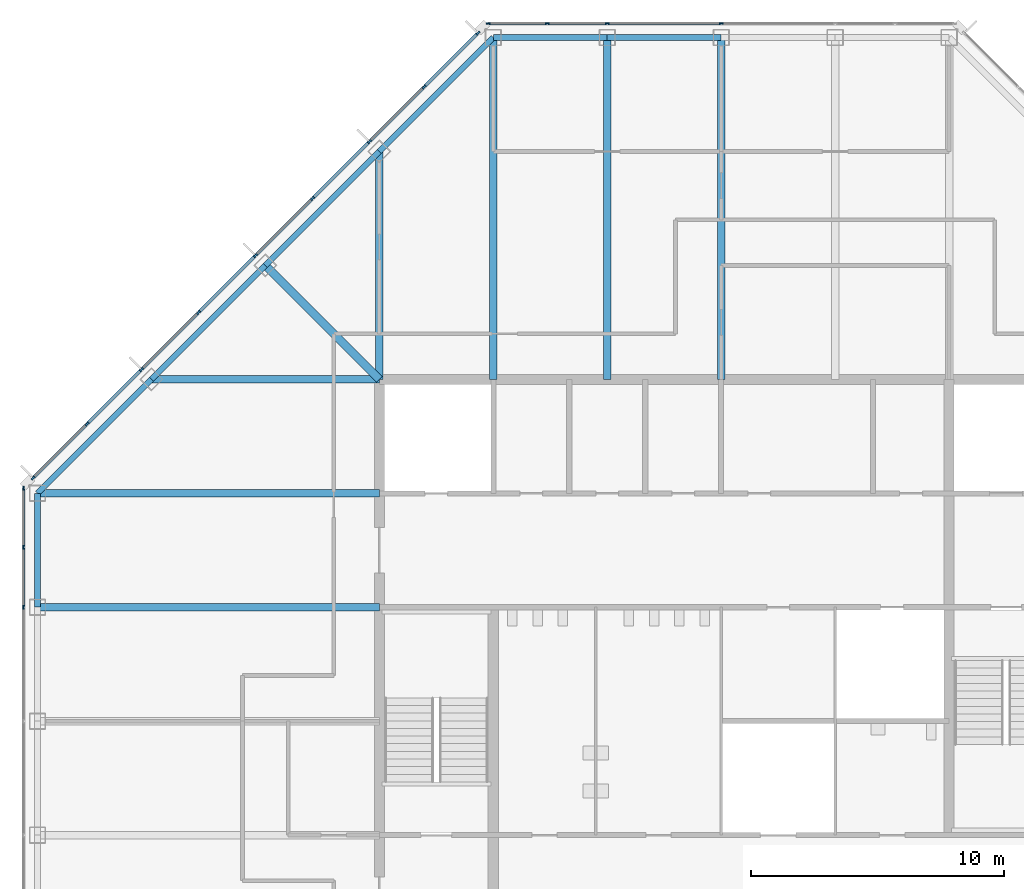
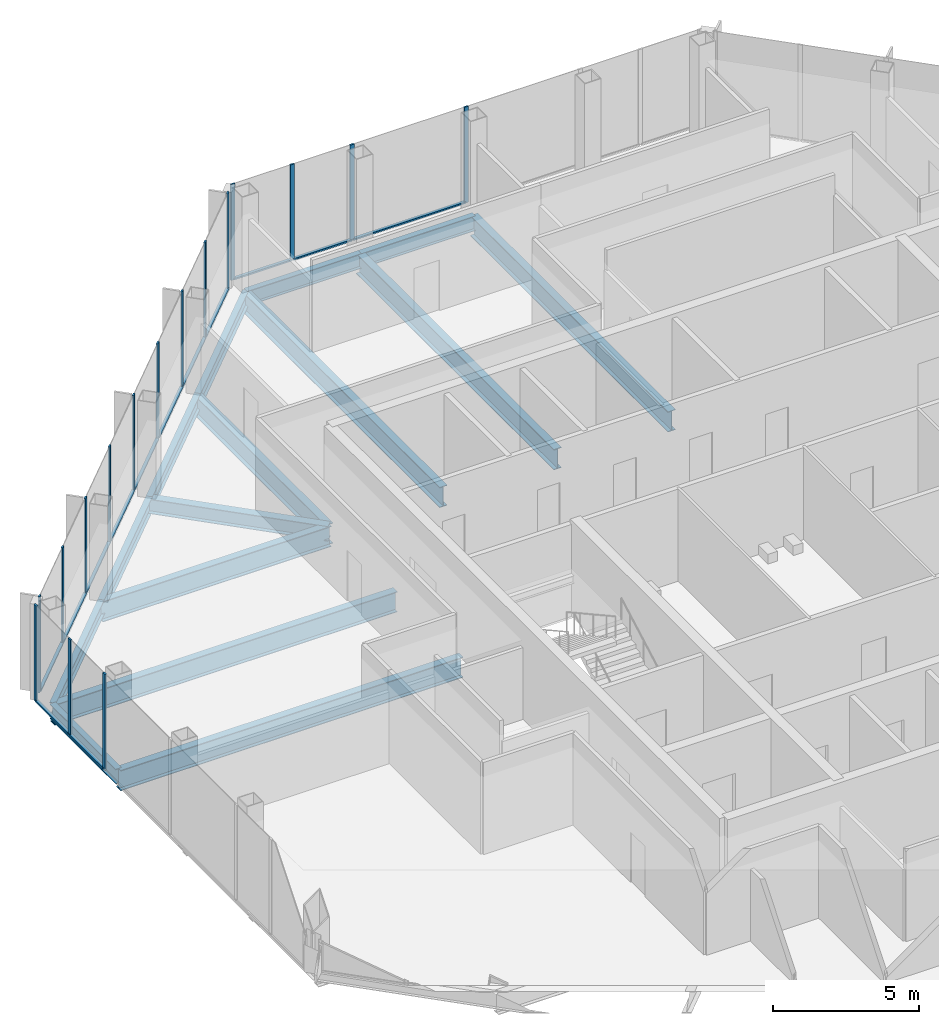
# One storey, part 6 of 13: 29 members, 15 beams, 3 elements without a shape of their own.
"""IFC4 building model written with IfcOpenShell, lengths in metres."""

from ifc_helpers import new_model, si_unit, direction, frame, origin, origin_2d, place, context, subcontext, project, spatial, rectangle, i_section, extrude, material, material_profile, profile_set, type_object, element, aggregate, save


model = new_model("IFC4")

# Units and contexts
model_context = context("Model", 3, precision=1e-05, world=origin(), true_north=direction((0.0, 1.0)))
body_context = subcontext(model_context, "Body", "Model", "MODEL_VIEW")
ifc_project = project(units=[si_unit("LENGTHUNIT", "METRE"), si_unit("AREAUNIT", "SQUARE_METRE"), si_unit("VOLUMEUNIT", "CUBIC_METRE"), si_unit("PLANEANGLEUNIT", "RADIAN"), si_unit("MASSUNIT", "GRAM", prefix="KILO")], contexts=[model_context])

# Site, building, storey
site_placement = place(None, origin())
site = spatial("IfcSite", under=ifc_project, at=site_placement, CompositionType="ELEMENT")
building_placement = place(site_placement, origin())
building = spatial("IfcBuilding", under=site, at=building_placement, Name="Corais Broadcast Tower", CompositionType="ELEMENT")
storey_placement = place(building_placement, frame((0.0, 0.0, 242.60009765625)))
storey = spatial("IfcBuildingStorey", under=building, at=storey_placement, Name="L56", CompositionType="ELEMENT", Elevation=242.60009765625)

# Beams
ifc_material_1 = material(Name="Steel ASTM A572 Grade 50", Category="steel")
ifc_material_profile_1 = material_profile(ifc_material_1, i_section(OverallWidth=0.323974609375, OverallDepth=0.611083984375, WebThickness=0.0126953125, FlangeThickness=0.01904296875, at=origin_2d()), Name="W610x155")
ifc_profile_set_1 = profile_set([ifc_material_profile_1], Name="Steel ASTM A572 Grade 50")
beam_type_1 = type_object("IfcBeamType", Name="Corner diagonal W610x155", PredefinedType="BEAM", material=ifc_profile_set_1)
beam_1_placement = place(storey_placement, frame((9.0, 45.0, -0.465576171875), z_axis=(0.707106781187, -0.707106781187, 0.0), x_axis=(0.707106781187, 0.707106781187, 0.0)))
element("IfcBeam", 1, at=beam_1_placement, inside=storey, type_object=beam_type_1, Name="B6 L/5 to K/6", PredefinedType="BEAM", context=body_context, shape_type="SweptSolid", body=[
    extrude(i_section(OverallWidth=0.323974609375, OverallDepth=0.611083984375, WebThickness=0.0126953125, FlangeThickness=0.01904296875, at=origin_2d()), origin(), (0.0, 0.0, 1.0), 6.364013671875),
])
ifc_material_2 = material(Name="Steel ASTM A572 Grade 50", Category="steel")
ifc_material_profile_2 = material_profile(ifc_material_2, i_section(OverallWidth=0.2939453125, OverallDepth=0.85107421875, WebThickness=0.01611328125, FlangeThickness=0.02685546875, at=origin_2d()), Name="W840x226")
ifc_profile_set_2 = profile_set([ifc_material_profile_2], Name="Steel ASTM A572 Grade 50")
beam_type_2 = type_object("IfcBeamType", Name="Floor beam W840x226", PredefinedType="BEAM", material=ifc_profile_set_2)
for number, where, z_axis, x_axis, name in (
    (2, (0.0, 31.5, -0.585693359375), (1.0, 0.0, 0.0), (0.0, 1.0, 0.0), "B1 H/3 to H/6"),
    (3, (0.0, 36.0, -0.585693359375), (1.0, 0.0, 0.0), (0.0, 1.0, 0.0), "B1 J/3 to J/6"),
):
    element("IfcBeam", number, at=place(storey_placement, frame(where, z_axis=z_axis, x_axis=x_axis)), inside=storey, type_object=beam_type_2, Name=name, PredefinedType="BEAM", context=body_context, shape_type="SweptSolid", body=[
        extrude(i_section(OverallWidth=0.2939453125, OverallDepth=0.85107421875, WebThickness=0.01611328125, FlangeThickness=0.02685546875, at=origin_2d()), origin(), (0.0, 0.0, 1.0), 13.5),
    ])
beam_2_placement = place(storey_placement, frame((13.5, 49.5, -0.585693359375), z_axis=(0.0, -1.0, 0.0), x_axis=(1.0, 0.0, 0.0)))
element("IfcBeam", 4, at=beam_2_placement, inside=storey, type_object=beam_type_2, Name="B1 M/6 to K/6", PredefinedType="BEAM", context=body_context, shape_type="SweptSolid", body=[
    extrude(i_section(OverallWidth=0.2939453125, OverallDepth=0.85107421875, WebThickness=0.01611328125, FlangeThickness=0.02685546875, at=origin_2d()), origin(), (0.0, 0.0, 1.0), 9.0),
])
for number, where, z_axis, x_axis, name in (
    (5, (18.0, 54.0, -0.585693359375), (0.0, -1.0, 0.0), (1.0, 0.0, 0.0), "B1 N/7 to K/7"),
    (6, (22.5, 54.0, -0.585693359375), (0.0, -1.0, 0.0), (1.0, 0.0, 0.0), "B1 N/8 to K/8"),
    (7, (27.0, 54.0, -0.585693359375), (0.0, -1.0, 0.0), (1.0, 0.0, 0.0), "B1 N/9 to K/9"),
):
    element("IfcBeam", number, at=place(storey_placement, frame(where, z_axis=z_axis, x_axis=x_axis)), inside=storey, type_object=beam_type_2, Name=name, PredefinedType="BEAM", context=body_context, shape_type="SweptSolid", body=[
        extrude(i_section(OverallWidth=0.2939453125, OverallDepth=0.85107421875, WebThickness=0.01611328125, FlangeThickness=0.02685546875, at=origin_2d()), origin(), (0.0, 0.0, 1.0), 13.5),
    ])
beam_3_placement = place(storey_placement, frame((4.5, 40.5, -0.585693359375), z_axis=(1.0, 0.0, 0.0), x_axis=(0.0, 1.0, 0.0)))
element("IfcBeam", 8, at=beam_3_placement, inside=storey, type_object=beam_type_2, Name="B1 K/4 to K/6", PredefinedType="BEAM", context=body_context, shape_type="SweptSolid", body=[
    extrude(i_section(OverallWidth=0.2939453125, OverallDepth=0.85107421875, WebThickness=0.01611328125, FlangeThickness=0.02685546875, at=origin_2d()), origin(), (0.0, 0.0, 1.0), 9.0),
])

# Curtain wall, members
ifc_material_3 = material(Name="Aluminium and glass", Category="aluminium")
curtain_wall_type = type_object("IfcCurtainWallType", Name="Unitised fritted curtain wall CW3", PredefinedType="NOTDEFINED", material=ifc_material_3)
curtain_wall_1_placement = place(storey_placement, origin())
curtain_wall_1 = element("IfcCurtainWall", 9, at=curtain_wall_1_placement, inside=storey, type_object=curtain_wall_type, Name="CW3 curtain wall L56 2", PredefinedType="NOTDEFINED")
ifc_material_4 = material(Name="Aluminium 6063-T6", Category="aluminium")
ifc_material_profile_3 = material_profile(ifc_material_4, rectangle(XDim=0.06494140625, YDim=0.159912109375, at=origin_2d()), Name="Mullion CW3 65x160")
ifc_profile_set_3 = profile_set([ifc_material_profile_3], Name="Aluminium 6063-T6")
member_type_1 = type_object("IfcMemberType", Name="Mullion CW3 65x160", PredefinedType="MULLION", material=ifc_profile_set_3)
member_1_placement = place(storey_placement, frame((-0.550048828125, 31.5, 0.0), z_axis=(0.0, 0.0, 1.0), x_axis=(-1.0, 0.0, 0.0)))
member_1 = element("IfcMember", 10, at=member_1_placement, type_object=member_type_1, Name="CW3 mullion 5", PredefinedType="MULLION", context=body_context, shape_type="SweptSolid", body=[
    extrude(rectangle(XDim=0.06494140625, YDim=0.159912109375, at=origin_2d()), origin(), (0.0, 0.0, 1.0), 4.0),
])
member_2_placement = place(storey_placement, frame((-0.550048828125, 33.864013671875, 0.0), z_axis=(0.0, 0.0, 1.0), x_axis=(-1.0, 0.0, 0.0)))
member_2 = element("IfcMember", 11, at=member_2_placement, type_object=member_type_1, Name="CW3 mullion 6", PredefinedType="MULLION", context=body_context, shape_type="SweptSolid", body=[
    extrude(rectangle(XDim=0.06494140625, YDim=0.159912109375, at=origin_2d()), origin(), (0.0, 0.0, 1.0), 4.0),
])
member_3_placement = place(storey_placement, frame((-0.550048828125, 36.1953125, 0.0), z_axis=(0.0, 0.0, 1.0), x_axis=(-1.0, 0.0, 0.0)))
member_3 = element("IfcMember", 12, at=member_3_placement, type_object=member_type_1, Name="CW3 mullion 7", PredefinedType="MULLION", context=body_context, shape_type="SweptSolid", body=[
    extrude(rectangle(XDim=0.06494140625, YDim=0.159912109375, at=origin_2d()), origin(), (0.0, 0.0, 1.0), 4.0),
])

curtain_wall_2_placement = place(storey_placement, origin())
curtain_wall_2 = element("IfcCurtainWall", 13, at=curtain_wall_2_placement, inside=storey, type_object=curtain_wall_type, Name="CW3 curtain wall L56 3", PredefinedType="NOTDEFINED")
member_4_placement = place(storey_placement, frame((-0.17333984375, 36.6044921875, 0.0), z_axis=(0.0, 0.0, 1.0), x_axis=(-0.707106781187, 0.707106781187, 0.0)))
member_4 = element("IfcMember", 14, at=member_4_placement, type_object=member_type_1, Name="CW3 mullion 1", PredefinedType="MULLION", context=body_context, shape_type="SweptSolid", body=[
    extrude(rectangle(XDim=0.06494140625, YDim=0.159912109375, at=origin_2d()), origin(), (0.0, 0.0, 1.0), 4.0),
])
member_5_placement = place(storey_placement, frame((1.957275390625, 38.735107421875, 0.0), z_axis=(0.0, 0.0, 1.0), x_axis=(-0.707106781187, 0.707106781187, 0.0)))
member_5 = element("IfcMember", 15, at=member_5_placement, type_object=member_type_1, Name="CW3 mullion 2", PredefinedType="MULLION", context=body_context, shape_type="SweptSolid", body=[
    extrude(rectangle(XDim=0.06494140625, YDim=0.159912109375, at=origin_2d()), origin(), (0.0, 0.0, 1.0), 4.0),
])
member_6_placement = place(storey_placement, frame((4.111083984375, 40.888916015625, 0.0), z_axis=(0.0, 0.0, 1.0), x_axis=(-0.707106781187, 0.707106781187, 0.0)))
member_6 = element("IfcMember", 16, at=member_6_placement, type_object=member_type_1, Name="CW3 mullion 3", PredefinedType="MULLION", context=body_context, shape_type="SweptSolid", body=[
    extrude(rectangle(XDim=0.06494140625, YDim=0.159912109375, at=origin_2d()), origin(), (0.0, 0.0, 1.0), 4.0),
])
member_7_placement = place(storey_placement, frame((6.361083984375, 43.138916015625, 0.0), z_axis=(0.0, 0.0, 1.0), x_axis=(-0.707106781187, 0.707106781187, 0.0)))
member_7 = element("IfcMember", 17, at=member_7_placement, type_object=member_type_1, Name="CW3 mullion 4", PredefinedType="MULLION", context=body_context, shape_type="SweptSolid", body=[
    extrude(rectangle(XDim=0.06494140625, YDim=0.159912109375, at=origin_2d()), origin(), (0.0, 0.0, 1.0), 4.0),
])
member_8_placement = place(storey_placement, frame((8.611083984375, 45.388916015625, 0.0), z_axis=(0.0, 0.0, 1.0), x_axis=(-0.707106781187, 0.707106781187, 0.0)))
member_8 = element("IfcMember", 18, at=member_8_placement, type_object=member_type_1, Name="CW3 mullion 5", PredefinedType="MULLION", context=body_context, shape_type="SweptSolid", body=[
    extrude(rectangle(XDim=0.06494140625, YDim=0.159912109375, at=origin_2d()), origin(), (0.0, 0.0, 1.0), 4.0),
])
member_9_placement = place(storey_placement, frame((10.861083984375, 47.638916015625, 0.0), z_axis=(0.0, 0.0, 1.0), x_axis=(-0.707106781187, 0.707106781187, 0.0)))
member_9 = element("IfcMember", 19, at=member_9_placement, type_object=member_type_1, Name="CW3 mullion 6", PredefinedType="MULLION", context=body_context, shape_type="SweptSolid", body=[
    extrude(rectangle(XDim=0.06494140625, YDim=0.159912109375, at=origin_2d()), origin(), (0.0, 0.0, 1.0), 4.0),
])
member_10_placement = place(storey_placement, frame((13.111083984375, 49.888916015625, 0.0), z_axis=(0.0, 0.0, 1.0), x_axis=(-0.707106781187, 0.707106781187, 0.0)))
member_10 = element("IfcMember", 20, at=member_10_placement, type_object=member_type_1, Name="CW3 mullion 7", PredefinedType="MULLION", context=body_context, shape_type="SweptSolid", body=[
    extrude(rectangle(XDim=0.06494140625, YDim=0.159912109375, at=origin_2d()), origin(), (0.0, 0.0, 1.0), 4.0),
])
member_11_placement = place(storey_placement, frame((15.264892578125, 52.042724609375, 0.0), z_axis=(0.0, 0.0, 1.0), x_axis=(-0.707106781187, 0.707106781187, 0.0)))
member_11 = element("IfcMember", 21, at=member_11_placement, type_object=member_type_1, Name="CW3 mullion 8", PredefinedType="MULLION", context=body_context, shape_type="SweptSolid", body=[
    extrude(rectangle(XDim=0.06494140625, YDim=0.159912109375, at=origin_2d()), origin(), (0.0, 0.0, 1.0), 4.0),
])
member_12_placement = place(storey_placement, frame((17.3955078125, 54.17333984375, 0.0), z_axis=(0.0, 0.0, 1.0), x_axis=(-0.707106781187, 0.707106781187, 0.0)))
member_12 = element("IfcMember", 22, at=member_12_placement, type_object=member_type_1, Name="CW3 mullion 9", PredefinedType="MULLION", context=body_context, shape_type="SweptSolid", body=[
    extrude(rectangle(XDim=0.06494140625, YDim=0.159912109375, at=origin_2d()), origin(), (0.0, 0.0, 1.0), 4.0),
])

curtain_wall_3_placement = place(storey_placement, origin())
curtain_wall_3 = element("IfcCurtainWall", 23, at=curtain_wall_3_placement, inside=storey, type_object=curtain_wall_type, Name="CW3 curtain wall L56 4", PredefinedType="NOTDEFINED")
member_13_placement = place(storey_placement, frame((17.8046875, 54.550048828125, 0.0), z_axis=(0.0, 0.0, 1.0), x_axis=(0.0, 1.0, 0.0)))
member_13 = element("IfcMember", 24, at=member_13_placement, type_object=member_type_1, Name="CW3 mullion 1", PredefinedType="MULLION", context=body_context, shape_type="SweptSolid", body=[
    extrude(rectangle(XDim=0.06494140625, YDim=0.159912109375, at=origin_2d()), origin(), (0.0, 0.0, 1.0), 4.0),
])
member_14_placement = place(storey_placement, frame((20.135986328125, 54.550048828125, 0.0), z_axis=(0.0, 0.0, 1.0), x_axis=(0.0, 1.0, 0.0)))
member_14 = element("IfcMember", 25, at=member_14_placement, type_object=member_type_1, Name="CW3 mullion 2", PredefinedType="MULLION", context=body_context, shape_type="SweptSolid", body=[
    extrude(rectangle(XDim=0.06494140625, YDim=0.159912109375, at=origin_2d()), origin(), (0.0, 0.0, 1.0), 4.0),
])
member_15_placement = place(storey_placement, frame((22.5, 54.550048828125, 0.0), z_axis=(0.0, 0.0, 1.0), x_axis=(0.0, 1.0, 0.0)))
member_15 = element("IfcMember", 26, at=member_15_placement, type_object=member_type_1, Name="CW3 mullion 3", PredefinedType="MULLION", context=body_context, shape_type="SweptSolid", body=[
    extrude(rectangle(XDim=0.06494140625, YDim=0.159912109375, at=origin_2d()), origin(), (0.0, 0.0, 1.0), 4.0),
])
member_16_placement = place(storey_placement, frame((27.0, 54.550048828125, 0.0), z_axis=(0.0, 0.0, 1.0), x_axis=(0.0, 1.0, 0.0)))
member_16 = element("IfcMember", 27, at=member_16_placement, type_object=member_type_1, Name="CW3 mullion 4", PredefinedType="MULLION", context=body_context, shape_type="SweptSolid", body=[
    extrude(rectangle(XDim=0.06494140625, YDim=0.159912109375, at=origin_2d()), origin(), (0.0, 0.0, 1.0), 4.0),
])

# Beams
ifc_material_5 = material(Name="Steel ASTM A572 Grade 50", Category="steel")
ifc_material_profile_4 = material_profile(ifc_material_5, i_section(OverallWidth=0.22998046875, OverallDepth=0.616943359375, WebThickness=0.01318359375, FlangeThickness=0.022216796875, at=origin_2d()), Name="W610x140")
ifc_profile_set_4 = profile_set([ifc_material_profile_4], Name="Steel ASTM A572 Grade 50")
beam_type_3 = type_object("IfcBeamType", Name="Spandrel W610x140", PredefinedType="BEAM", material=ifc_profile_set_4)
beam_4_placement = place(storey_placement, frame((0.0, 36.0, -0.468505859375), z_axis=(0.0, -1.0, 0.0), x_axis=(1.0, 0.0, 0.0)))
element("IfcBeam", 28, at=beam_4_placement, inside=storey, type_object=beam_type_3, Name="SB3 J/3 to H/3", PredefinedType="BEAM", context=body_context, shape_type="SweptSolid", body=[
    extrude(i_section(OverallWidth=0.22998046875, OverallDepth=0.616943359375, WebThickness=0.01318359375, FlangeThickness=0.022216796875, at=origin_2d()), origin(), (0.0, 0.0, 1.0), 4.5),
])
for number, where, z_axis, x_axis, name in (
    (29, (13.5, 49.5, -0.468505859375), (-0.707106781187, -0.707106781187, 0.0), (0.707106781187, -0.707106781187, 0.0), "SB3 M/6 to L/5"),
    (30, (18.0, 54.0, -0.468505859375), (-0.707106781187, -0.707106781187, 0.0), (0.707106781187, -0.707106781187, 0.0), "SB3 N/7 to M/6"),
):
    element("IfcBeam", number, at=place(storey_placement, frame(where, z_axis=z_axis, x_axis=x_axis)), inside=storey, type_object=beam_type_3, Name=name, PredefinedType="BEAM", context=body_context, shape_type="SweptSolid", body=[
        extrude(i_section(OverallWidth=0.22998046875, OverallDepth=0.616943359375, WebThickness=0.01318359375, FlangeThickness=0.022216796875, at=origin_2d()), origin(), (0.0, 0.0, 1.0), 6.364013671875),
    ])
for number, where, z_axis, x_axis, name in (
    (31, (22.5, 54.0, -0.468505859375), (-1.0, 0.0, 0.0), (0.0, -1.0, 0.0), "SB3 N/8 to N/7"),
    (32, (27.0, 54.0, -0.468505859375), (-1.0, 0.0, 0.0), (0.0, -1.0, 0.0), "SB3 N/9 to N/8"),
):
    element("IfcBeam", number, at=place(storey_placement, frame(where, z_axis=z_axis, x_axis=x_axis)), inside=storey, type_object=beam_type_3, Name=name, PredefinedType="BEAM", context=body_context, shape_type="SweptSolid", body=[
        extrude(i_section(OverallWidth=0.22998046875, OverallDepth=0.616943359375, WebThickness=0.01318359375, FlangeThickness=0.022216796875, at=origin_2d()), origin(), (0.0, 0.0, 1.0), 4.5),
    ])
for number, where, z_axis, x_axis, name in (
    (33, (4.5, 40.5, -0.468505859375), (-0.707106781187, -0.707106781187, 0.0), (0.707106781187, -0.707106781187, 0.0), "SB3 K/4 to J/3"),
    (34, (9.0, 45.0, -0.468505859375), (-0.707106781187, -0.707106781187, 0.0), (0.707106781187, -0.707106781187, 0.0), "SB3 L/5 to K/4"),
):
    element("IfcBeam", number, at=place(storey_placement, frame(where, z_axis=z_axis, x_axis=x_axis)), inside=storey, type_object=beam_type_3, Name=name, PredefinedType="BEAM", context=body_context, shape_type="SweptSolid", body=[
        extrude(i_section(OverallWidth=0.22998046875, OverallDepth=0.616943359375, WebThickness=0.01318359375, FlangeThickness=0.022216796875, at=origin_2d()), origin(), (0.0, 0.0, 1.0), 6.364013671875),
    ])

# Member
ifc_material_6 = material(Name="Aluminium 6063-T6", Category="aluminium")
ifc_material_profile_5 = material_profile(ifc_material_6, rectangle(XDim=0.1201171875, YDim=0.06494140625, at=origin_2d()), Name="Transom CW3 65x120")
ifc_profile_set_5 = profile_set([ifc_material_profile_5], Name="Aluminium 6063-T6")
member_type_2 = type_object("IfcMemberType", Name="Transom CW3 65x120", PredefinedType="USERDEFINED", material=ifc_profile_set_5)
member_17_placement = place(storey_placement, frame((-0.550048828125, 31.532470703125, 0.032470703125), z_axis=(0.0, 1.0, 0.0), x_axis=(-1.0, 0.0, 0.0)))
member_17 = element("IfcMember", 35, at=member_17_placement, type_object=member_type_2, Name="CW3 transom 5.1", ObjectType="TRANSOM", PredefinedType="USERDEFINED", context=body_context, shape_type="SweptSolid", body=[
    extrude(rectangle(XDim=0.1201171875, YDim=0.06494140625, at=origin_2d()), origin(), (0.0, 0.0, 1.0), 2.298828125),
])

member_18_placement = place(storey_placement, frame((-0.550048828125, 33.896484375, 0.032470703125), z_axis=(0.0, 1.0, 0.0), x_axis=(-1.0, 0.0, 0.0)))
member_18 = element("IfcMember", 36, at=member_18_placement, type_object=member_type_2, Name="CW3 transom 6.1", ObjectType="TRANSOM", PredefinedType="USERDEFINED", context=body_context, shape_type="SweptSolid", body=[
    extrude(rectangle(XDim=0.1201171875, YDim=0.06494140625, at=origin_2d()), origin(), (0.0, 0.0, 1.0), 2.266357421875),
])

aggregate(curtain_wall_1, [member_1, member_2, member_3, member_17, member_18])

member_19_placement = place(storey_placement, frame((-0.150390625, 36.62744140625, 0.032470703125), z_axis=(0.707106781187, 0.707106781187, 0.0), x_axis=(-0.707106781187, 0.707106781187, 0.0)))
member_19 = element("IfcMember", 37, at=member_19_placement, type_object=member_type_2, Name="CW3 transom 1.1", ObjectType="TRANSOM", PredefinedType="USERDEFINED", context=body_context, shape_type="SweptSolid", body=[
    extrude(rectangle(XDim=0.1201171875, YDim=0.06494140625, at=origin_2d()), origin(), (0.0, 0.0, 1.0), 2.9482421875),
])

member_20_placement = place(storey_placement, frame((1.980224609375, 38.758056640625, 0.032470703125), z_axis=(0.707106781187, 0.707106781187, 0.0), x_axis=(-0.707106781187, 0.707106781187, 0.0)))
member_20 = element("IfcMember", 38, at=member_20_placement, type_object=member_type_2, Name="CW3 transom 2.1", ObjectType="TRANSOM", PredefinedType="USERDEFINED", context=body_context, shape_type="SweptSolid", body=[
    extrude(rectangle(XDim=0.1201171875, YDim=0.06494140625, at=origin_2d()), origin(), (0.0, 0.0, 1.0), 2.98095703125),
])

member_21_placement = place(storey_placement, frame((4.134033203125, 40.911865234375, 0.032470703125), z_axis=(0.707106781187, 0.707106781187, 0.0), x_axis=(-0.707106781187, 0.707106781187, 0.0)))
member_21 = element("IfcMember", 39, at=member_21_placement, type_object=member_type_2, Name="CW3 transom 3.1", ObjectType="TRANSOM", PredefinedType="USERDEFINED", context=body_context, shape_type="SweptSolid", body=[
    extrude(rectangle(XDim=0.1201171875, YDim=0.06494140625, at=origin_2d()), origin(), (0.0, 0.0, 1.0), 3.1171875),
])

member_22_placement = place(storey_placement, frame((6.384033203125, 43.161865234375, 0.032470703125), z_axis=(0.707106781187, 0.707106781187, 0.0), x_axis=(-0.707106781187, 0.707106781187, 0.0)))
member_22 = element("IfcMember", 40, at=member_22_placement, type_object=member_type_2, Name="CW3 transom 4.1", ObjectType="TRANSOM", PredefinedType="USERDEFINED", context=body_context, shape_type="SweptSolid", body=[
    extrude(rectangle(XDim=0.1201171875, YDim=0.06494140625, at=origin_2d()), origin(), (0.0, 0.0, 1.0), 3.1171875),
])

member_23_placement = place(storey_placement, frame((8.634033203125, 45.411865234375, 0.032470703125), z_axis=(0.707106781187, 0.707106781187, 0.0), x_axis=(-0.707106781187, 0.707106781187, 0.0)))
member_23 = element("IfcMember", 41, at=member_23_placement, type_object=member_type_2, Name="CW3 transom 5.1", ObjectType="TRANSOM", PredefinedType="USERDEFINED", context=body_context, shape_type="SweptSolid", body=[
    extrude(rectangle(XDim=0.1201171875, YDim=0.06494140625, at=origin_2d()), origin(), (0.0, 0.0, 1.0), 3.1171875),
])

member_24_placement = place(storey_placement, frame((10.884033203125, 47.661865234375, 0.032470703125), z_axis=(0.707106781187, 0.707106781187, 0.0), x_axis=(-0.707106781187, 0.707106781187, 0.0)))
member_24 = element("IfcMember", 42, at=member_24_placement, type_object=member_type_2, Name="CW3 transom 6.1", ObjectType="TRANSOM", PredefinedType="USERDEFINED", context=body_context, shape_type="SweptSolid", body=[
    extrude(rectangle(XDim=0.1201171875, YDim=0.06494140625, at=origin_2d()), origin(), (0.0, 0.0, 1.0), 3.1171875),
])

member_25_placement = place(storey_placement, frame((13.134033203125, 49.911865234375, 0.032470703125), z_axis=(0.70714773134, 0.707065828661, 0.0), x_axis=(-0.707065828661, 0.70714773134, 0.0)))
member_25 = element("IfcMember", 43, at=member_25_placement, type_object=member_type_2, Name="CW3 transom 7.1", ObjectType="TRANSOM", PredefinedType="USERDEFINED", context=body_context, shape_type="SweptSolid", body=[
    extrude(rectangle(XDim=0.1201171875, YDim=0.06494140625, at=origin_2d()), origin(), (0.0, 0.0, 1.0), 2.98095703125),
])

member_26_placement = place(storey_placement, frame((15.287841796875, 52.065673828125, 0.032470703125), z_axis=(0.707106781187, 0.707106781187, 0.0), x_axis=(-0.707106781187, 0.707106781187, 0.0)))
member_26 = element("IfcMember", 44, at=member_26_placement, type_object=member_type_2, Name="CW3 transom 8.1", ObjectType="TRANSOM", PredefinedType="USERDEFINED", context=body_context, shape_type="SweptSolid", body=[
    extrude(rectangle(XDim=0.1201171875, YDim=0.06494140625, at=origin_2d()), origin(), (0.0, 0.0, 1.0), 2.9482421875),
])

aggregate(curtain_wall_2, [member_4, member_5, member_6, member_7, member_8, member_9, member_10, member_11, member_12, member_19, member_20, member_21, member_22, member_23, member_24, member_25, member_26])

member_27_placement = place(storey_placement, frame((17.837158203125, 54.550048828125, 0.032470703125), z_axis=(1.0, 0.0, 0.0), x_axis=(0.0, 1.0, 0.0)))
member_27 = element("IfcMember", 45, at=member_27_placement, type_object=member_type_2, Name="CW3 transom 1.1", ObjectType="TRANSOM", PredefinedType="USERDEFINED", context=body_context, shape_type="SweptSolid", body=[
    extrude(rectangle(XDim=0.1201171875, YDim=0.06494140625, at=origin_2d()), origin(), (0.0, 0.0, 1.0), 2.266357421875),
])

member_28_placement = place(storey_placement, frame((20.168701171875, 54.550048828125, 0.032470703125), z_axis=(1.0, 0.0, 0.0), x_axis=(0.0, 1.0, 0.0)))
member_28 = element("IfcMember", 46, at=member_28_placement, type_object=member_type_2, Name="CW3 transom 2.1", ObjectType="TRANSOM", PredefinedType="USERDEFINED", context=body_context, shape_type="SweptSolid", body=[
    extrude(rectangle(XDim=0.1201171875, YDim=0.06494140625, at=origin_2d()), origin(), (0.0, 0.0, 1.0), 2.298828125),
])

member_29_placement = place(storey_placement, frame((22.532470703125, 54.550048828125, 0.032470703125), z_axis=(1.0, 0.0, 0.0), x_axis=(0.0, 1.0, 0.0)))
member_29 = element("IfcMember", 47, at=member_29_placement, type_object=member_type_2, Name="CW3 transom 3.1", ObjectType="TRANSOM", PredefinedType="USERDEFINED", context=body_context, shape_type="SweptSolid", body=[
    extrude(rectangle(XDim=0.1201171875, YDim=0.06494140625, at=origin_2d()), origin(), (0.0, 0.0, 1.0), 4.43505859375),
])

aggregate(curtain_wall_3, [member_13, member_14, member_15, member_16, member_27, member_28, member_29])

save(model, "model.ifc")
